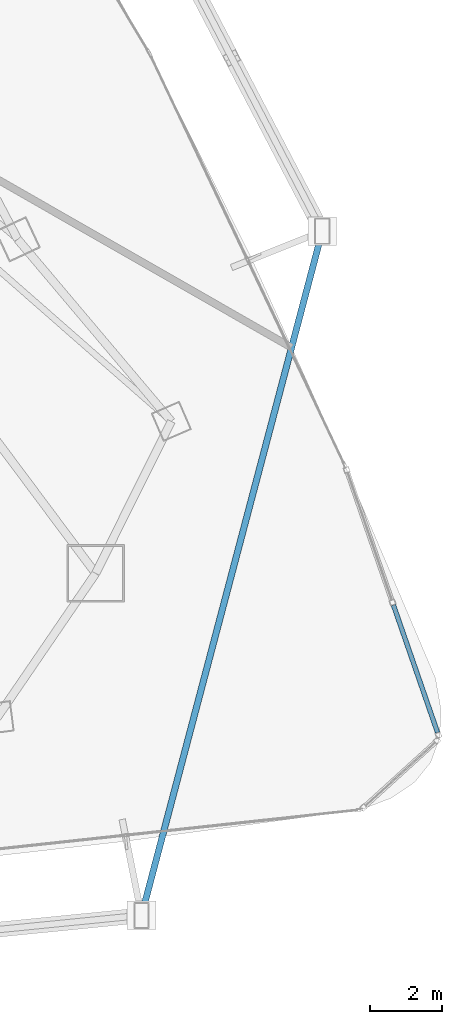
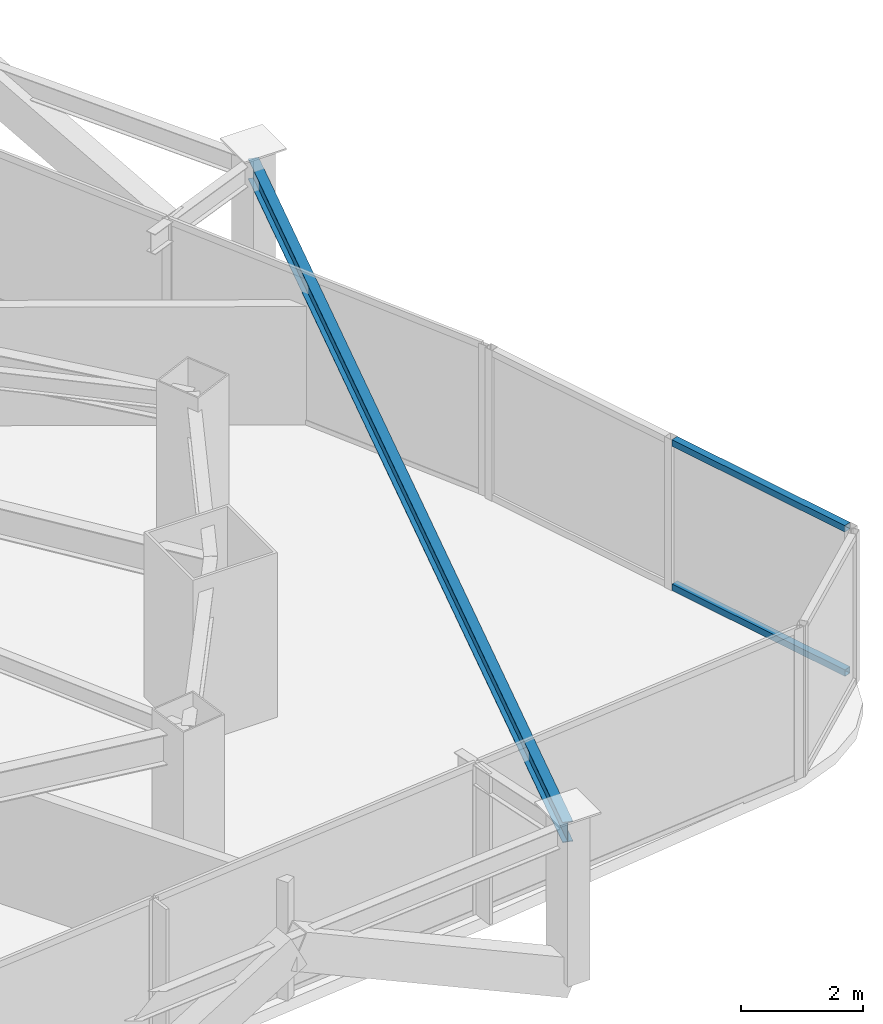
# One storey, part 17 of 38: 2 members, 1 beam, 1 element without a shape of its own.
"""IFC4 building model written with IfcOpenShell, lengths in metres."""

from ifc_helpers import new_model, si_unit, direction, frame, origin, origin_2d, place, context, subcontext, project, spatial, hollow_rectangle, i_section, extrude, material, layer, layer_set, material_profile, profile_set, type_object, element, aggregate, save


model = new_model("IFC4")

# Units and contexts
model_context = context("Model", 3, precision=1e-05, world=origin(), true_north=direction((0.0, 1.0)))
body_context = subcontext(model_context, "Body", "Model", "MODEL_VIEW")
ifc_project = project(units=[si_unit("LENGTHUNIT", "METRE"), si_unit("AREAUNIT", "SQUARE_METRE"), si_unit("VOLUMEUNIT", "CUBIC_METRE"), si_unit("PLANEANGLEUNIT", "RADIAN"), si_unit("MASSUNIT", "GRAM", prefix="KILO")], contexts=[model_context])

# Site, building, storey
site_placement = place(None, origin())
site = spatial("IfcSite", under=ifc_project, at=site_placement, CompositionType="ELEMENT")
building_placement = place(site_placement, origin())
building = spatial("IfcBuilding", under=site, at=building_placement, Name="Orvanel Arch Residences", CompositionType="ELEMENT")
storey_placement = place(building_placement, frame((0.0, 0.0, 56.60009765625)))
storey = spatial("IfcBuildingStorey", under=building, at=storey_placement, Name="L15", CompositionType="ELEMENT", Elevation=56.60009765625)

# Beam
ifc_material_1 = material(Name="Structural steel AS/NZS 3679.1 Grade 300 (300 MPa)", Category="steel")
ifc_material_profile_1 = material_profile(ifc_material_1, i_section(OverallWidth=0.177978515625, OverallDepth=0.406005859375, WebThickness=0.0078125, FlangeThickness=0.0126953125, at=origin_2d()), Name="410UB59.7")
ifc_profile_set_1 = profile_set([ifc_material_profile_1], Name="Structural steel AS/NZS 3679.1 Grade 300 (300 MPa)")
beam_type = type_object("IfcBeamType", Name="OB-410UB-EXT", PredefinedType="SPANDREL", material=ifc_profile_set_1)
beam_placement = place(storey_placement, frame((53.076904296875, 0.843017578125, 2.81689453125), z_axis=(0.255447803759, 0.966822848072, 0.0), x_axis=(-0.966822848072, 0.255447803759, 0.0)))
element("IfcBeam", 1, at=beam_placement, inside=storey, type_object=beam_type, Name="L15 Outer Perimeter Floor Ring Beam 08", PredefinedType="SPANDREL", context=body_context, shape_type="SweptSolid", body=[
    extrude(i_section(OverallWidth=0.177978515625, OverallDepth=0.406005859375, WebThickness=0.0078125, FlangeThickness=0.0126953125, at=origin_2d()), origin(), (0.0, 0.0, 1.0), 19.67578125),
])

# Curtain wall, members
ifc_material_2 = material(Name="Bronze-anodised aluminium AA6063-T6", Category="aluminium")
ifc_layer = layer(ifc_material_2, 0.18994140625)
ifc_layer_set = layer_set([ifc_layer], Name="Bronze-anodised aluminium AA6063-T6")
curtain_wall_type = type_object("IfcCurtainWallType", Name="CW5-CRN-SYS", PredefinedType="NOTDEFINED", material=ifc_layer_set)
curtain_wall_placement = place(storey_placement, origin())
curtain_wall = element("IfcCurtainWall", 2, at=curtain_wall_placement, inside=storey, type_object=curtain_wall_type, Name="L15 CW5-CRN-SYS Unitised Curtain Wall", PredefinedType="NOTDEFINED")
ifc_material_profile_2 = material_profile(ifc_material_2, hollow_rectangle(XDim=0.1298828125, YDim=0.1298828125, WallThickness=0.00439453125, at=origin_2d()), Name="ALU130x130x4.5")
ifc_profile_set_2 = profile_set([ifc_material_profile_2], Name="Bronze-anodised aluminium AA6063-T6")
member_type = type_object("IfcMemberType", Name="TRN-130x130", PredefinedType="USERDEFINED", material=ifc_profile_set_2)
member_1_placement = place(storey_placement, frame((61.309814453125, 5.9248046875, 0.06494140625), z_axis=(-0.327115032015, 0.944984526767, 0.0), x_axis=(-0.944984526767, -0.327115032015, 0.0)))
member_1 = element("IfcMember", 3, at=member_1_placement, type_object=member_type, Name="CW-S5 transom 1.1", ObjectType="TRANSOM", PredefinedType="USERDEFINED", context=body_context, shape_type="SweptSolid", body=[
    extrude(hollow_rectangle(XDim=0.1298828125, YDim=0.1298828125, WallThickness=0.00439453125, at=origin_2d()), origin(), (0.0, 0.0, 1.0), 3.75341796875),
])
member_2_placement = place(storey_placement, frame((61.309814453125, 5.9248046875, 2.954833984375), z_axis=(-0.327115032015, 0.944984526767, 0.0), x_axis=(-0.944984526767, -0.327115032015, 0.0)))
member_2 = element("IfcMember", 4, at=member_2_placement, type_object=member_type, Name="CW-S5 transom 1.2", ObjectType="TRANSOM", PredefinedType="USERDEFINED", context=body_context, shape_type="SweptSolid", body=[
    extrude(hollow_rectangle(XDim=0.1298828125, YDim=0.1298828125, WallThickness=0.00439453125, at=origin_2d()), origin(), (0.0, 0.0, 1.0), 3.75341796875),
])
aggregate(curtain_wall, [member_1, member_2])

save(model, "model.ifc")
